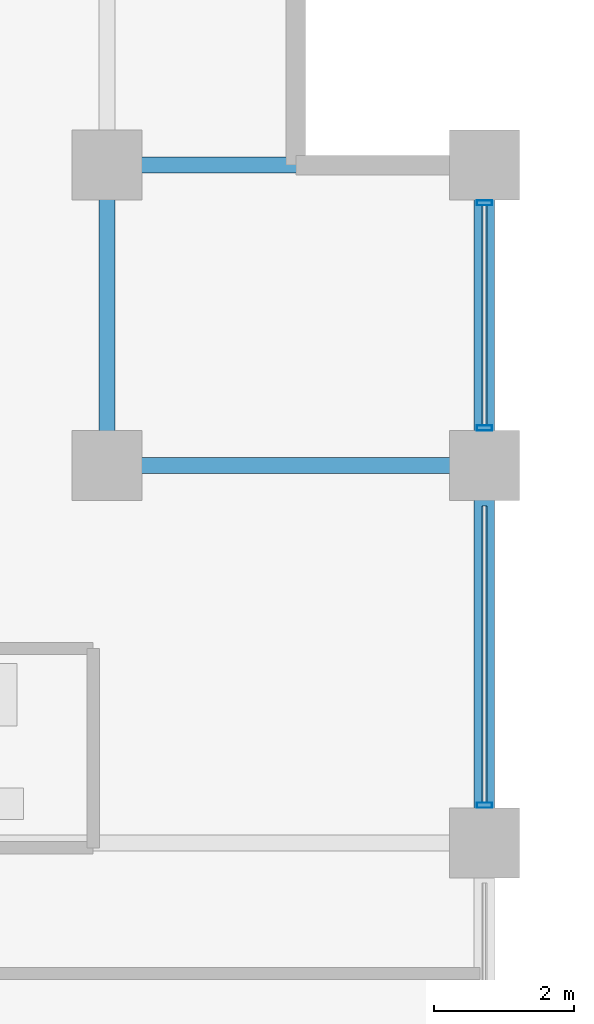
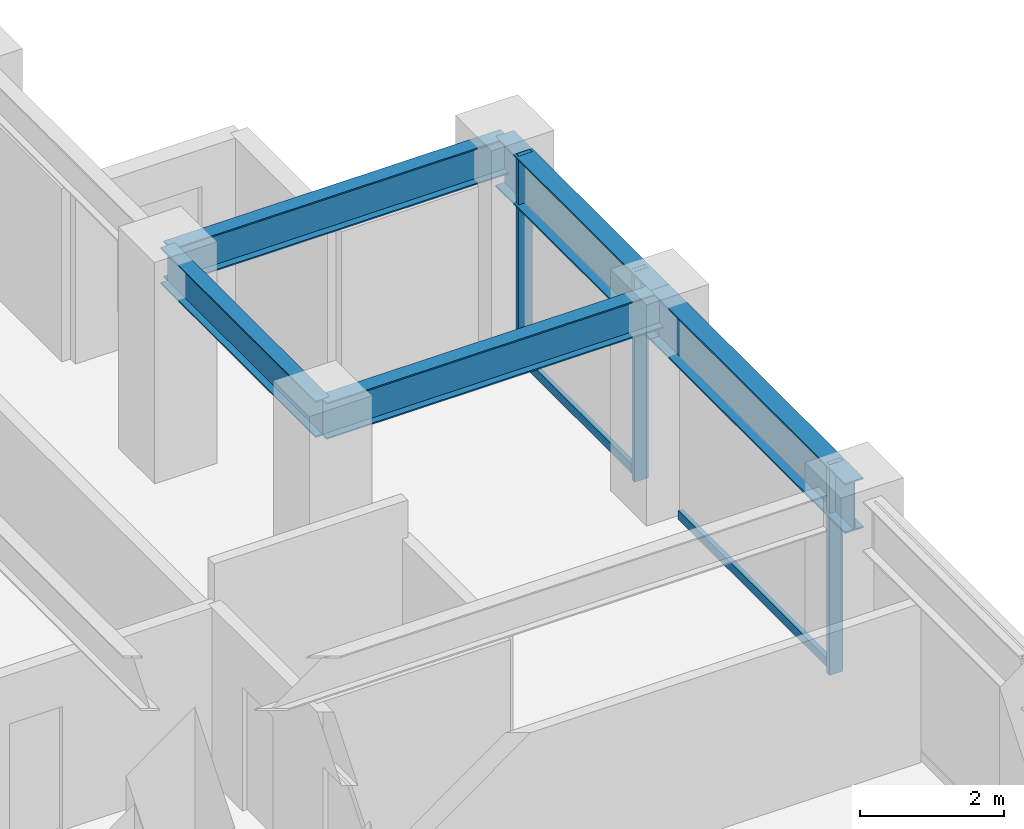
# One storey, part 16 of 26: 5 beams, 5 members, 1 element without a shape of its own.
"""IFC4 building model written with IfcOpenShell, lengths in metres."""

from ifc_helpers import new_model, si_unit, direction, frame, origin, origin_2d, place, context, subcontext, project, spatial, hollow_rectangle, i_section, extrude, material, layer, layer_set, material_profile, profile_set, type_object, element, aggregate, save


model = new_model("IFC4")

# Units and contexts
model_context = context("Model", 3, precision=1e-05, world=origin(), true_north=direction((0.0, 1.0)))
body_context = subcontext(model_context, "Body", "Model", "MODEL_VIEW")
ifc_project = project(units=[si_unit("LENGTHUNIT", "METRE"), si_unit("AREAUNIT", "SQUARE_METRE"), si_unit("VOLUMEUNIT", "CUBIC_METRE"), si_unit("PLANEANGLEUNIT", "RADIAN"), si_unit("MASSUNIT", "GRAM", prefix="KILO")], contexts=[model_context])

# Site, building, storey
site_placement = place(None, origin())
site = spatial("IfcSite", under=ifc_project, at=site_placement, CompositionType="ELEMENT")
building_placement = place(site_placement, origin())
building = spatial("IfcBuilding", under=site, at=building_placement, Name="Surkhivell Harbour Commons", CompositionType="ELEMENT")
storey_placement = place(building_placement, frame((0.0, 0.0, 143.25)))
storey = spatial("IfcBuildingStorey", under=building, at=storey_placement, Name="L37", CompositionType="ELEMENT", Elevation=143.25)

# Beams
ifc_material_1 = material(Name="Steel S355", Category="steel")
ifc_material_profile_1 = material_profile(ifc_material_1, i_section(OverallWidth=0.22998046875, OverallDepth=0.616943359375, WebThickness=0.01318359375, FlangeThickness=0.022216796875, at=origin_2d()), Name="UB610x229x140")
ifc_profile_set_1 = profile_set([ifc_material_profile_1], Name="Steel S355")
beam_type_1 = type_object("IfcBeamType", Name="BM-GRD-610B", PredefinedType="BEAM", material=ifc_profile_set_1)
beam_1_placement = place(storey_placement, frame((16.199951171875, 16.199951171875, 3.261474609375), z_axis=(0.0, 1.0, 0.0), x_axis=(-1.0, 0.0, 0.0)))
element("IfcBeam", 1, at=beam_1_placement, inside=storey, type_object=beam_type_1, Name="L37 Floor Girder (16.2,16.2)", PredefinedType="BEAM", context=body_context, shape_type="SweptSolid", body=[
    extrude(i_section(OverallWidth=0.22998046875, OverallDepth=0.616943359375, WebThickness=0.01318359375, FlangeThickness=0.022216796875, at=origin_2d()), origin(), (0.0, 0.0, 1.0), 4.300048828125),
])
for number, where, z_axis, x_axis, name in (
    (2, (16.199951171875, 16.199951171875, 3.261474609375), (1.0, 0.0, 0.0), (0.0, 1.0, 0.0), "L37 Floor Girder (16.2,16.2)"),
    (3, (16.199951171875, 20.5, 3.261474609375), (1.0, 0.0, 0.0), (0.0, 1.0, 0.0), "L37 Floor Girder (16.2,20.5)"),
):
    element("IfcBeam", number, at=place(storey_placement, frame(where, z_axis=z_axis, x_axis=x_axis)), inside=storey, type_object=beam_type_1, Name=name, PredefinedType="BEAM", context=body_context, shape_type="SweptSolid", body=[
        extrude(i_section(OverallWidth=0.22998046875, OverallDepth=0.616943359375, WebThickness=0.01318359375, FlangeThickness=0.022216796875, at=origin_2d()), origin(), (0.0, 0.0, 1.0), 5.400146484375),
    ])
ifc_material_2 = material(Name="Steel S460", Category="steel")
ifc_material_profile_2 = material_profile(ifc_material_2, i_section(OverallWidth=0.2939453125, OverallDepth=0.85107421875, WebThickness=0.01611328125, FlangeThickness=0.02685546875, at=origin_2d()), Name="UB838x292x226")
ifc_profile_set_2 = profile_set([ifc_material_profile_2], Name="Steel S460")
beam_type_2 = type_object("IfcBeamType", Name="BM-SPN-838", PredefinedType="SPANDREL", material=ifc_profile_set_2)
beam_2_placement = place(storey_placement, frame((21.60009765625, 10.800048828125, 3.14453125), z_axis=(0.0, 1.0, 0.0), x_axis=(-1.0, 0.0, 0.0)))
element("IfcBeam", 4, at=beam_2_placement, inside=storey, type_object=beam_type_2, Name="L37 Tube Spandrel (21.6,10.8)", PredefinedType="SPANDREL", context=body_context, shape_type="SweptSolid", body=[
    extrude(i_section(OverallWidth=0.2939453125, OverallDepth=0.85107421875, WebThickness=0.01611328125, FlangeThickness=0.02685546875, at=origin_2d()), origin(), (0.0, 0.0, 1.0), 5.39990234375),
])
beam_3_placement = place(storey_placement, frame((21.60009765625, 16.199951171875, 3.14453125), z_axis=(0.0, 1.0, 0.0), x_axis=(-1.0, 0.0, 0.0)))
element("IfcBeam", 5, at=beam_3_placement, inside=storey, type_object=beam_type_2, Name="L37 Tube Spandrel (21.6,16.2)", PredefinedType="SPANDREL", context=body_context, shape_type="SweptSolid", body=[
    extrude(i_section(OverallWidth=0.2939453125, OverallDepth=0.85107421875, WebThickness=0.01611328125, FlangeThickness=0.02685546875, at=origin_2d()), origin(), (0.0, 0.0, 1.0), 4.300048828125),
])

# Curtain wall, members
ifc_material_3 = material(Name="Anodised pale-metal aluminium and insulated glazing", Category="aluminium")
ifc_layer = layer(ifc_material_3, 0.205078125)
ifc_layer_set = layer_set([ifc_layer], Name="Anodised pale-metal aluminium and insulated glazing")
curtain_wall_type = type_object("IfcCurtainWallType", Name="CW-SYS-Z2", PredefinedType="NOTDEFINED", material=ifc_layer_set)
curtain_wall_placement = place(storey_placement, origin())
curtain_wall = element("IfcCurtainWall", 6, at=curtain_wall_placement, inside=storey, type_object=curtain_wall_type, Name="L37 Curtain Wall CW-L37-E02R2", PredefinedType="NOTDEFINED")
ifc_material_4 = material(Name="Anodised pale-metal aluminium alloy 6063-T6", Category="aluminium")
ifc_material_profile_3 = material_profile(ifc_material_4, hollow_rectangle(XDim=0.074951171875, YDim=0.219970703125, WallThickness=0.00390625, at=origin_2d()), Name="ALU-MULL-75x220")
ifc_profile_set_3 = profile_set([ifc_material_profile_3], Name="Anodised pale-metal aluminium alloy 6063-T6")
member_type_1 = type_object("IfcMemberType", Name="CWM-220", PredefinedType="MULLION", material=ifc_profile_set_3)
member_1_placement = place(storey_placement, frame((21.60009765625, 11.339599609375, 0.0), z_axis=(0.0, 0.0, 1.0), x_axis=(0.0, 1.0, 0.0)))
member_1 = element("IfcMember", 7, at=member_1_placement, type_object=member_type_1, Name="CW-Z2 mullion 2", PredefinedType="MULLION", context=body_context, shape_type="SweptSolid", body=[
    extrude(hollow_rectangle(XDim=0.074951171875, YDim=0.219970703125, WallThickness=0.00390625, at=origin_2d()), origin(), (0.0, 0.0, 1.0), 3.570068359375),
])
member_2_placement = place(storey_placement, frame((21.60009765625, 16.739501953125, 0.0), z_axis=(0.0, 0.0, 1.0), x_axis=(0.0, 1.0, 0.0)))
member_2 = element("IfcMember", 8, at=member_2_placement, type_object=member_type_1, Name="CW-Z2 mullion 3", PredefinedType="MULLION", context=body_context, shape_type="SweptSolid", body=[
    extrude(hollow_rectangle(XDim=0.074951171875, YDim=0.219970703125, WallThickness=0.00390625, at=origin_2d()), origin(), (0.0, 0.0, 1.0), 3.570068359375),
])
member_3_placement = place(storey_placement, frame((21.60009765625, 19.96044921875, 0.0), z_axis=(0.0, 0.0, 1.0), x_axis=(0.0, 1.0, 0.0)))
member_3 = element("IfcMember", 9, at=member_3_placement, type_object=member_type_1, Name="CW-Z2 mullion 4", PredefinedType="MULLION", context=body_context, shape_type="SweptSolid", body=[
    extrude(hollow_rectangle(XDim=0.074951171875, YDim=0.219970703125, WallThickness=0.00390625, at=origin_2d()), origin(), (0.0, 0.0, 1.0), 3.570068359375),
])
ifc_material_profile_4 = material_profile(ifc_material_4, hollow_rectangle(XDim=0.074951171875, YDim=0.14990234375, WallThickness=0.00341796875, at=origin_2d()), Name="ALU-TRAN-75x150")
ifc_profile_set_4 = profile_set([ifc_material_profile_4], Name="Anodised pale-metal aluminium alloy 6063-T6")
member_type_2 = type_object("IfcMemberType", Name="CWT-150", PredefinedType="USERDEFINED", material=ifc_profile_set_4)
member_4_placement = place(storey_placement, frame((21.60009765625, 11.376953125, 0.074951171875), z_axis=(0.0, 1.0, 0.0), x_axis=(-1.0, 0.0, 0.0)))
member_4 = element("IfcMember", 10, at=member_4_placement, type_object=member_type_2, Name="CW-Z2 transom 2.1", ObjectType="TRANSOM", PredefinedType="USERDEFINED", context=body_context, shape_type="SweptSolid", body=[
    extrude(hollow_rectangle(XDim=0.074951171875, YDim=0.14990234375, WallThickness=0.00341796875, at=origin_2d()), origin(), (0.0, 0.0, 1.0), 4.24609375),
])
member_5_placement = place(storey_placement, frame((21.60009765625, 16.777099609375, 0.074951171875), z_axis=(0.0, 1.0, 0.0), x_axis=(-1.0, 0.0, 0.0)))
member_5 = element("IfcMember", 11, at=member_5_placement, type_object=member_type_2, Name="CW-Z2 transom 3.1", ObjectType="TRANSOM", PredefinedType="USERDEFINED", context=body_context, shape_type="SweptSolid", body=[
    extrude(hollow_rectangle(XDim=0.074951171875, YDim=0.14990234375, WallThickness=0.00341796875, at=origin_2d()), origin(), (0.0, 0.0, 1.0), 3.14599609375),
])
aggregate(curtain_wall, [member_1, member_4, member_2, member_3, member_5])

save(model, "model.ifc")
